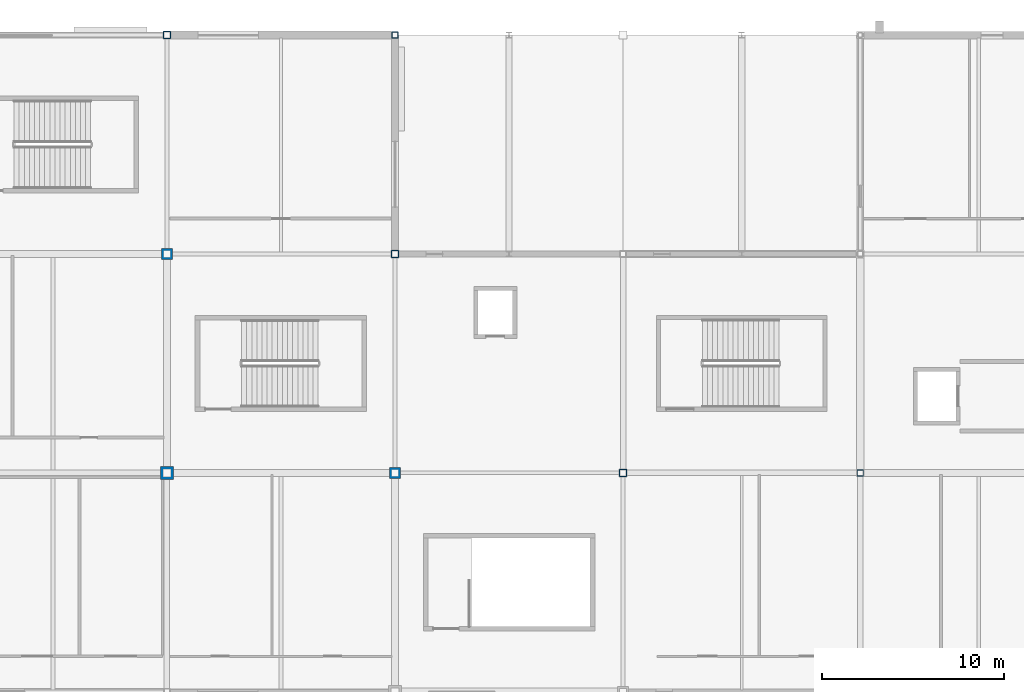
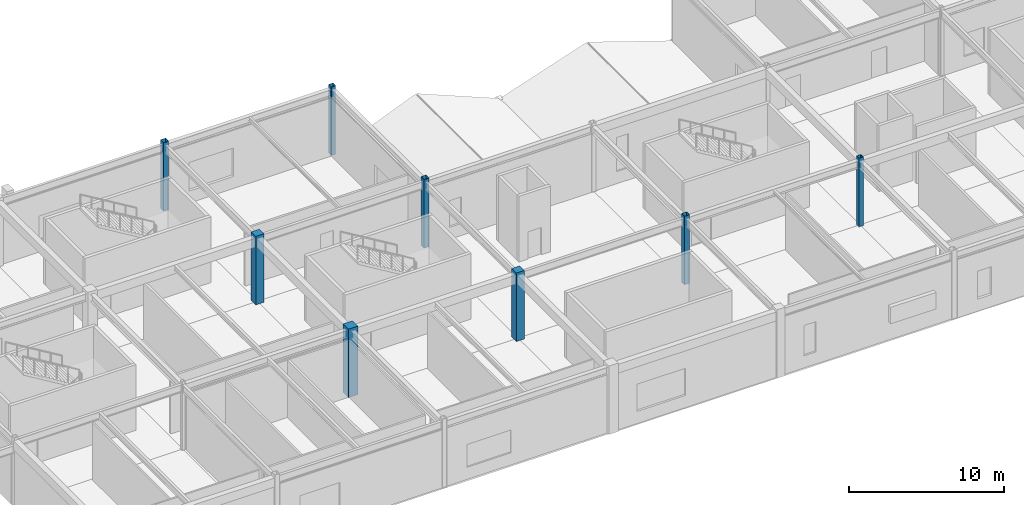
# One storey, part 21 of 105: 8 columns.
"""IFC4 building model written with IfcOpenShell, lengths in metres."""

from ifc_helpers import new_model, si_unit, direction, frame, origin, origin_2d, place, context, subcontext, project, spatial, rectangle, hollow_rectangle, extrude, material, material_profile, profile_set, type_object, element, save


model = new_model("IFC4")

# Units and contexts
model_context = context("Model", 3, precision=1e-05, world=origin(), true_north=direction((0.0, 1.0)))
body_context = subcontext(model_context, "Body", "Model", "MODEL_VIEW")
ifc_project = project(units=[si_unit("LENGTHUNIT", "METRE"), si_unit("AREAUNIT", "SQUARE_METRE"), si_unit("VOLUMEUNIT", "CUBIC_METRE"), si_unit("PLANEANGLEUNIT", "RADIAN"), si_unit("MASSUNIT", "GRAM", prefix="KILO")], contexts=[model_context])

# Site, building, storey
site_placement = place(None, origin())
site = spatial("IfcSite", under=ifc_project, at=site_placement, CompositionType="ELEMENT")
building_placement = place(site_placement, origin())
building = spatial("IfcBuilding", under=site, at=building_placement, Name="Kazenohara Klinker Stadium", CompositionType="ELEMENT")
storey_placement = place(building_placement, frame((0.0, 0.0, 20.39990234375)))
storey = spatial("IfcBuildingStorey", under=building, at=storey_placement, Name="L04", CompositionType="ELEMENT", Elevation=20.39990234375)

# Columns
ifc_material_1 = material(Name="Concrete C40/50", Category="concrete")
ifc_material_profile_1 = material_profile(ifc_material_1, rectangle(XDim=0.699951171875, YDim=0.699951171875, at=origin_2d()), Name="RC-COL-700x700")
ifc_profile_set_1 = profile_set([ifc_material_profile_1], Name="Concrete C40/50")
column_type_1 = type_object("IfcColumnType", Name="COL-RC06", PredefinedType="COLUMN", material=ifc_profile_set_1)
column_placement = place(storey_placement, frame((74.0, 144.0, 0.0), z_axis=(0.0, 0.0, 1.0), x_axis=(1.0, 0.0, 0.0)))
element("IfcColumn", 1, at=column_placement, inside=storey, type_object=column_type_1, Name="Column C06 L04 7/N", PredefinedType="COLUMN", context=body_context, shape_type="SweptSolid", body=[
    extrude(rectangle(XDim=0.699951171875, YDim=0.699951171875, at=origin_2d()), origin(), (0.0, 0.0, 1.0), 5.400146484375),
])
ifc_material_profile_2 = material_profile(ifc_material_1, rectangle(XDim=0.60009765625, YDim=0.60009765625, at=origin_2d()), Name="RC-COL-600x600")
ifc_profile_set_2 = profile_set([ifc_material_profile_2], Name="Concrete C40/50")
column_type_2 = type_object("IfcColumnType", Name="COL-RC07", PredefinedType="COLUMN", material=ifc_profile_set_2)
for number, where, z_axis, x_axis, name in (
    (2, (74.0, 156.0, 0.0), (0.0, 0.0, 1.0), (1.0, 0.0, 0.0), "Column C07 L04 7/P"),
    (3, (86.5, 144.0, 0.0), (0.0, 0.0, 1.0), (1.0, 0.0, 0.0), "Column C07 L04 8/N"),
):
    element("IfcColumn", number, at=place(storey_placement, frame(where, z_axis=z_axis, x_axis=x_axis)), inside=storey, type_object=column_type_2, Name=name, PredefinedType="COLUMN", context=body_context, shape_type="SweptSolid", body=[
        extrude(rectangle(XDim=0.60009765625, YDim=0.60009765625, at=origin_2d()), origin(), (0.0, 0.0, 1.0), 5.400146484375),
    ])
ifc_material_2 = material(Name="Steel S355", Category="steel")
ifc_material_profile_3 = material_profile(ifc_material_2, hollow_rectangle(XDim=0.39990234375, YDim=0.39990234375, WallThickness=0.01611328125, InnerFilletRadius=0.01611328125, OuterFilletRadius=0.031982421875, at=origin_2d()), Name="SHS-400x400x16")
ifc_profile_set_3 = profile_set([ifc_material_profile_3], Name="Steel S355")
column_type_3 = type_object("IfcColumnType", Name="COL-ST01", PredefinedType="COLUMN", material=ifc_profile_set_3)
for number, where, z_axis, x_axis, name in (
    (4, (74.0, 168.0, 0.0), (0.0, 0.0, 1.0), (1.0, 0.0, 0.0), "Column SC01 L04 7/Q"),
    (5, (86.5, 156.0, 0.0), (0.0, 0.0, 1.0), (1.0, 0.0, 0.0), "Column SC01 L04 8/P"),
    (6, (99.0, 144.0, 0.0), (0.0, 0.0, 1.0), (1.0, 0.0, 0.0), "Column SC01 L04 9/N"),
):
    element("IfcColumn", number, at=place(storey_placement, frame(where, z_axis=z_axis, x_axis=x_axis)), inside=storey, type_object=column_type_3, Name=name, PredefinedType="COLUMN", context=body_context, shape_type="SweptSolid", body=[
        extrude(hollow_rectangle(XDim=0.39990234375, YDim=0.39990234375, WallThickness=0.01611328125, InnerFilletRadius=0.01611328125, OuterFilletRadius=0.031982421875, at=origin_2d()), origin(), (0.0, 0.0, 1.0), 5.400146484375),
    ])
ifc_material_profile_4 = material_profile(ifc_material_2, hollow_rectangle(XDim=0.35009765625, YDim=0.35009765625, WallThickness=0.01611328125, InnerFilletRadius=0.01611328125, OuterFilletRadius=0.031982421875, at=origin_2d()), Name="SHS-350x350x16")
ifc_profile_set_4 = profile_set([ifc_material_profile_4], Name="Steel S355")
column_type_4 = type_object("IfcColumnType", Name="COL-ST02", PredefinedType="COLUMN", material=ifc_profile_set_4)
for number, where, z_axis, x_axis, name in (
    (7, (86.5, 168.0, 0.0), (0.0, 0.0, 1.0), (1.0, 0.0, 0.0), "Column SC02 L04 8/Q"),
    (8, (112.0, 144.0, 0.0), (0.0, 0.0, 1.0), (1.0, 0.0, 0.0), "Column SC02 L04 10/N"),
):
    element("IfcColumn", number, at=place(storey_placement, frame(where, z_axis=z_axis, x_axis=x_axis)), inside=storey, type_object=column_type_4, Name=name, PredefinedType="COLUMN", context=body_context, shape_type="SweptSolid", body=[
        extrude(hollow_rectangle(XDim=0.35009765625, YDim=0.35009765625, WallThickness=0.01611328125, InnerFilletRadius=0.01611328125, OuterFilletRadius=0.031982421875, at=origin_2d()), origin(), (0.0, 0.0, 1.0), 5.400146484375),
    ])

save(model, "model.ifc")
